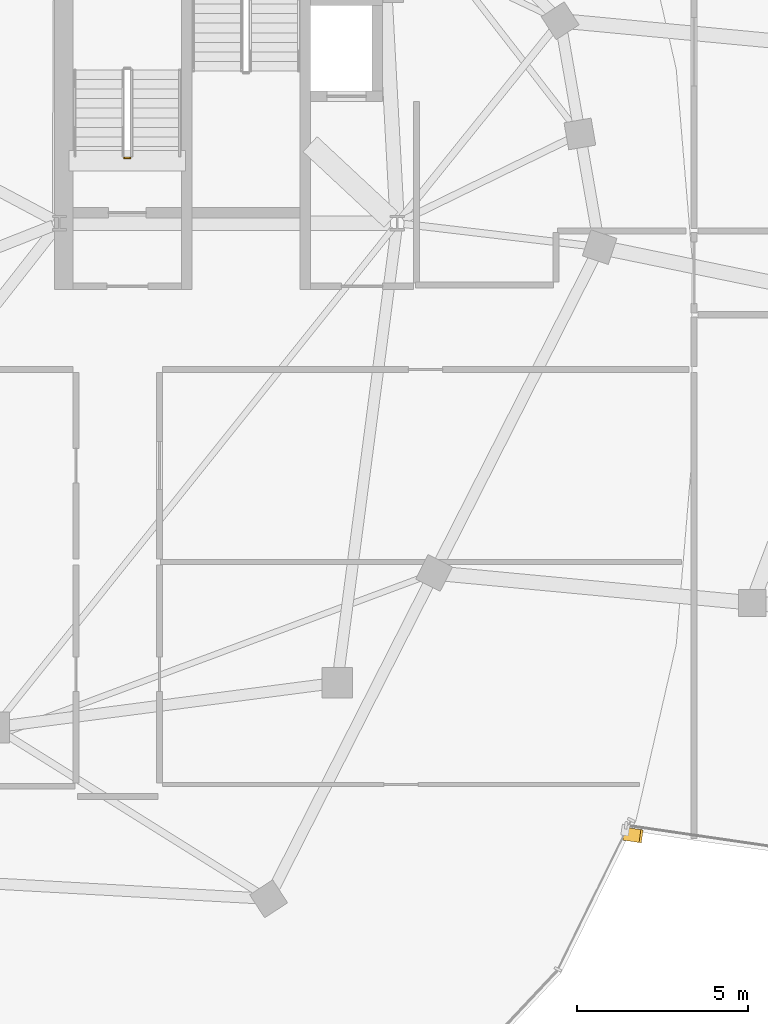
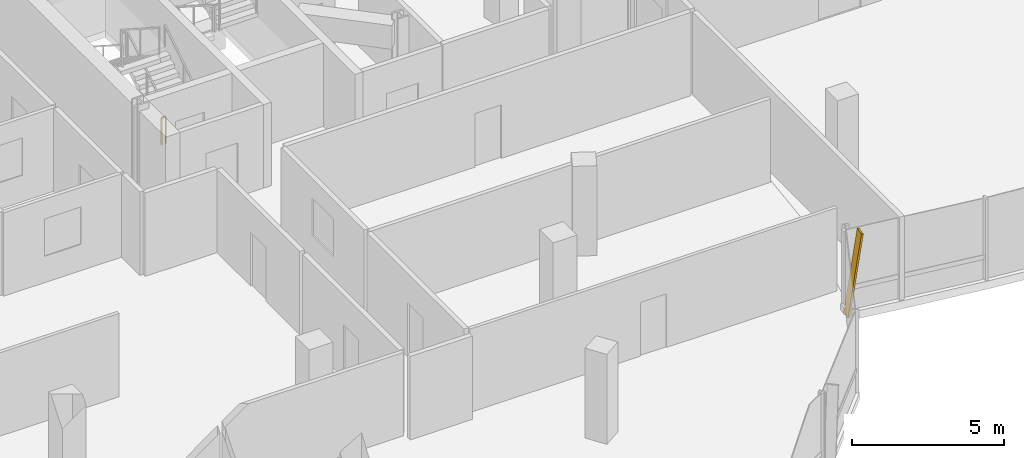
# One storey, part 22 of 26: 1 railing, 1 shading device.
"""IFC4 building model written with IfcOpenShell, lengths in metres."""

from ifc_helpers import new_model, si_unit, direction, frame, origin, origin_2d, place, context, subcontext, project, spatial, rectangle, extrude, material, material_profile, profile_set, type_object, element, save


model = new_model("IFC4")

# Units and contexts
model_context = context("Model", 3, precision=1e-05, world=origin(), true_north=direction((0.0, 1.0)))
body_context = subcontext(model_context, "Body", "Model", "MODEL_VIEW")
ifc_project = project(units=[si_unit("LENGTHUNIT", "METRE"), si_unit("AREAUNIT", "SQUARE_METRE"), si_unit("VOLUMEUNIT", "CUBIC_METRE"), si_unit("PLANEANGLEUNIT", "RADIAN"), si_unit("MASSUNIT", "GRAM", prefix="KILO"), si_unit("THERMODYNAMICTEMPERATUREUNIT", "KELVIN"), si_unit("POWERUNIT", "WATT")], contexts=[model_context])

# Site, building, storey
site_placement = place(None, origin())
site = spatial("IfcSite", under=ifc_project, at=site_placement, CompositionType="ELEMENT")
building_placement = place(site_placement, origin())
building = spatial("IfcBuilding", under=site, at=building_placement, Name="Cundina Bronze Exchange", CompositionType="ELEMENT")
storey_placement = place(building_placement, frame((0.0, 0.0, 243.199951171875)))
storey = spatial("IfcBuildingStorey", under=building, at=storey_placement, Name="L64", CompositionType="ELEMENT", Elevation=243.199951171875)

# Railing
ifc_material_1 = material(Name="Steel ASTM A36 Painted", Category="steel")
railing_type = type_object("IfcRailingType", Name="RLG-STG-1100", PredefinedType="GUARDRAIL", material=ifc_material_1)
railing_placement = place(storey_placement, frame((-29.239990234375, 5.800048828125, 0.0)))
element("IfcRailing", 1, at=railing_placement, inside=storey, type_object=railing_type, Name="L64 ST-W1 stair guard 4", PredefinedType="GUARDRAIL", context=body_context, shape_type="SweptSolid", body=[
    extrude(rectangle(XDim=0.048095703125, YDim=0.048095703125, at=origin_2d()), frame((0.0, 0.0, 1.076171875), z_axis=(-1.0, 0.0, 0.0), x_axis=(0.0, -1.0, 0.0)), (0.0, 0.0, 1.0), 0.159912109375),
    extrude(rectangle(XDim=0.0419921875, YDim=0.0419921875, at=origin_2d()), origin(), (0.0, 0.0, 1.0), 1.052001953125),
    extrude(rectangle(XDim=0.0419921875, YDim=0.0419921875, at=origin_2d()), frame((-0.159912109375, 0.0, 0.0)), (0.0, 0.0, 1.0), 1.052001953125),
])

# Shading device
ifc_material_2 = material(Name="Anodised Bronze Aluminium 6063-T6", Category="aluminium")
ifc_material_profile = material_profile(ifc_material_2, rectangle(XDim=0.070068359375, YDim=0.3798828125, at=origin_2d()), Name="FIN70X380", Category="aluminium")
ifc_profile_set = profile_set([ifc_material_profile], Name="Anodised Bronze Aluminium 6063-T6")
shading_device_type = type_object("IfcShadingDeviceType", Name="SHD-FIN-BRZ380", PredefinedType="USERDEFINED", material=ifc_profile_set)
shading_device_placement = place(storey_placement, frame((-14.8154296875, -13.90625, 0.02001953125), z_axis=(0.145051508968, -0.021168873868, 0.989197623595), x_axis=(-0.978828704224, 0.142850643371, 0.1465880673)))
element("IfcShadingDevice", 2, at=shading_device_placement, inside=storey, type_object=shading_device_type, Name="L64 Diagonal Bronze Solar Fin 1", ObjectType="FIN", PredefinedType="USERDEFINED", context=body_context, shape_type="SweptSolid", body=[
    extrude(rectangle(XDim=0.070068359375, YDim=0.3798828125, at=origin_2d()), origin(), (0.0, 0.0, 1.0), 3.275390625),
])

save(model, "model.ifc")
